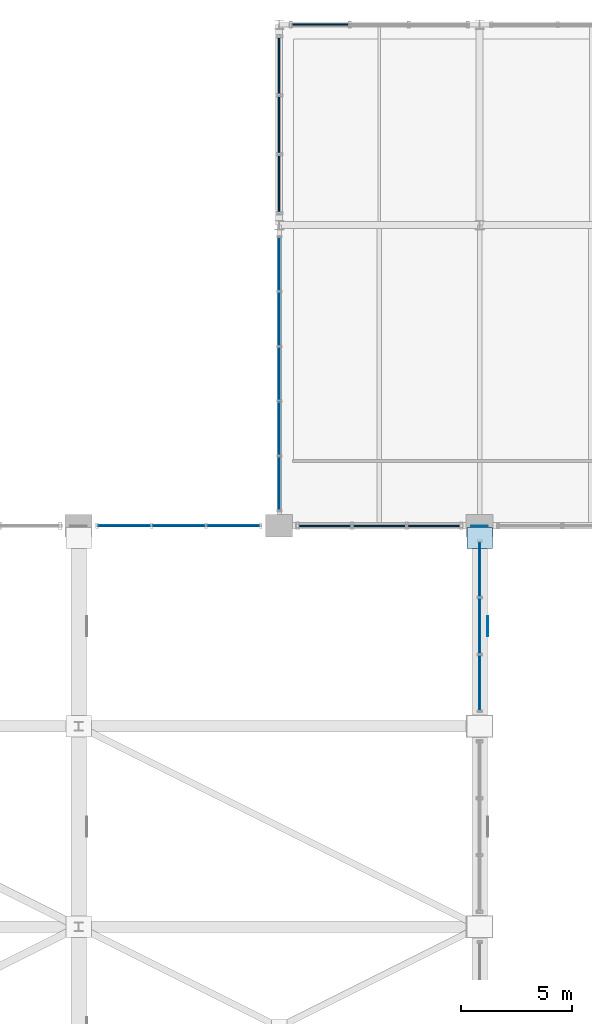
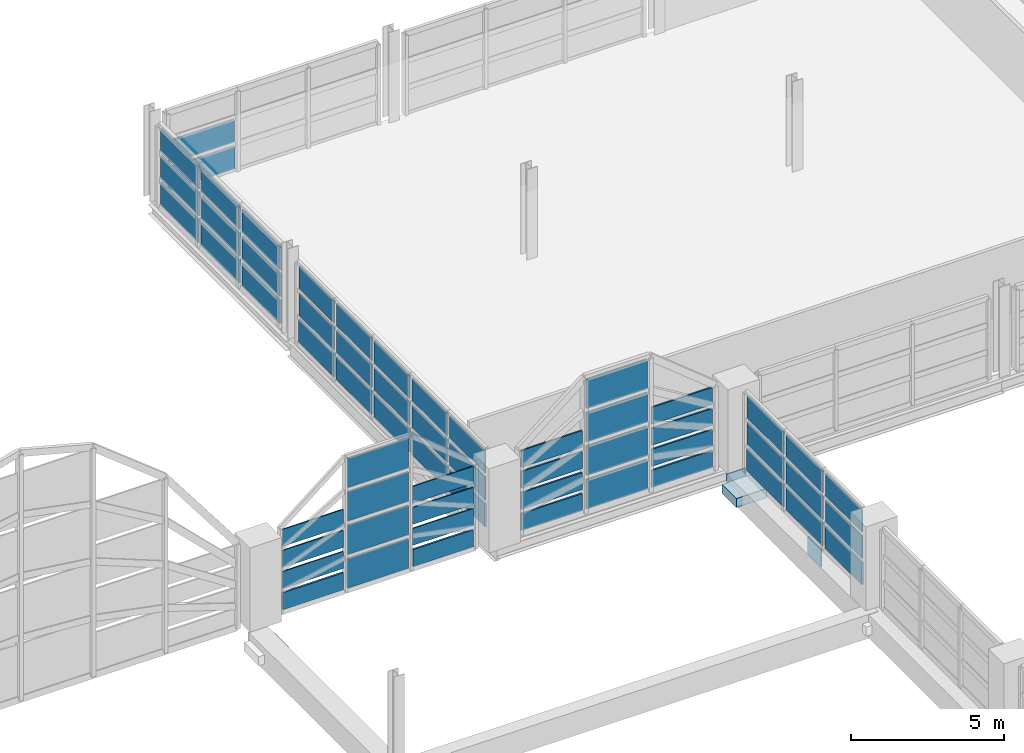
# One storey, part 92 of 116: 62 plates, 6 elements without a shape of their own.
"""IFC4 building model written with IfcOpenShell, lengths in metres."""

from ifc_helpers import new_model, si_unit, direction, frame, origin, origin_2d, place, context, subcontext, project, spatial, rectangle, extrude, material, layer, layer_set, type_object, element, aggregate, save


model = new_model("IFC4")

# Units and contexts
model_context = context("Model", 3, precision=1e-05, world=origin(), true_north=direction((0.0, 1.0)))
body_context = subcontext(model_context, "Body", "Model", "MODEL_VIEW")
ifc_project = project(units=[si_unit("LENGTHUNIT", "METRE"), si_unit("AREAUNIT", "SQUARE_METRE"), si_unit("VOLUMEUNIT", "CUBIC_METRE"), si_unit("PLANEANGLEUNIT", "RADIAN"), si_unit("MASSUNIT", "GRAM", prefix="KILO")], contexts=[model_context])

# Site, building, storey
site_placement = place(None, origin())
site = spatial("IfcSite", under=ifc_project, at=site_placement, CompositionType="ELEMENT")
building_placement = place(site_placement, origin())
building = spatial("IfcBuilding", under=site, at=building_placement, Name="Chuanluo Vaults Station", CompositionType="ELEMENT")
storey_placement = place(building_placement, frame((0.0, 0.0, 10.800048828125)))
storey = spatial("IfcBuildingStorey", under=building, at=storey_placement, Name="L02", CompositionType="ELEMENT", Elevation=10.800048828125)

# Curtain wall, plates
ifc_material_1 = material(Name="Anodised aluminium 6063-T6", Category="aluminium")
curtain_wall_type_1 = type_object("IfcCurtainWallType", Name="CW-SYS-25", PredefinedType="NOTDEFINED", material=ifc_material_1)
curtain_wall_1_placement = place(storey_placement, origin())
curtain_wall_1 = element("IfcCurtainWall", 1, at=curtain_wall_1_placement, inside=storey, type_object=curtain_wall_type_1, Name="Vault V7 north arched curtain wall part 2", PredefinedType="NOTDEFINED")
ifc_material_2 = material(Name="Ceramic-fritted spandrel glass", Category="glass")
ifc_layer_1 = layer(ifc_material_2, 0.06396484375)
ifc_layer_set_1 = layer_set([ifc_layer_1], Name="Ceramic-fritted spandrel glass")
plate_type_1 = type_object("IfcPlateType", Name="CWP-SPN-42", PredefinedType="SHEET", material=ifc_layer_set_1)
plate_1_placement = place(storey_placement, frame((119.050048828125, 103.5, 0.080078125), z_axis=(0.0, 0.0, 1.0), x_axis=(1.0, 0.0, 0.0)))
plate_1 = element("IfcPlate", 2, at=plate_1_placement, type_object=plate_type_1, Name="Vault V7 north arched curtain wall part 2 glazed panel 1.1", PredefinedType="SHEET", context=body_context, shape_type="SweptSolid", body=[
    extrude(rectangle(XDim=2.2900390625, YDim=0.06396484375, at=origin_2d()), origin(), (0.0, 0.0, 1.0), 0.677490234375),
])
plate_2_placement = place(storey_placement, frame((121.5, 103.5, 0.079833984375), z_axis=(0.0, 0.0, 1.0), x_axis=(1.0, 0.0, 0.0)))
plate_2 = element("IfcPlate", 3, at=plate_2_placement, type_object=plate_type_1, Name="Vault V7 north arched curtain wall part 2 glazed panel 2.1", PredefinedType="SHEET", context=body_context, shape_type="SweptSolid", body=[
    extrude(rectangle(XDim=2.2900390625, YDim=0.06396484375, at=origin_2d()), origin(), (0.0, 0.0, 1.0), 1.171875),
])
plate_3_placement = place(storey_placement, frame((123.949951171875, 103.5, 0.080078125), z_axis=(0.0, 0.0, 1.0), x_axis=(1.0, 0.0, 0.0)))
plate_3 = element("IfcPlate", 4, at=plate_3_placement, type_object=plate_type_1, Name="Vault V7 north arched curtain wall part 2 glazed panel 3.1", PredefinedType="SHEET", context=body_context, shape_type="SweptSolid", body=[
    extrude(rectangle(XDim=2.2900390625, YDim=0.06396484375, at=origin_2d()), origin(), (0.0, 0.0, 1.0), 0.677490234375),
])

ifc_material_3 = material(Name="Anodised aluminium 6063-T6", Category="aluminium")
curtain_wall_type_2 = type_object("IfcCurtainWallType", Name="CW-SYS-09", PredefinedType="NOTDEFINED", material=ifc_material_3)
curtain_wall_2_placement = place(storey_placement, origin())
curtain_wall_2 = element("IfcCurtainWall", 5, at=curtain_wall_2_placement, inside=storey, type_object=curtain_wall_type_2, Name="Operations L02 facade CW", PredefinedType="NOTDEFINED")
plate_4_placement = place(storey_placement, frame((117.0, 118.85009765625, 0.079833984375), z_axis=(0.0, 0.0, 1.0), x_axis=(0.0, 1.0, 0.0)))
plate_4 = element("IfcPlate", 6, at=plate_4_placement, type_object=plate_type_1, Name="Operations L02 facade CW glazed panel 1.1", PredefinedType="SHEET", context=body_context, shape_type="SweptSolid", body=[
    extrude(rectangle(XDim=2.489990234375, YDim=0.06396484375, at=origin_2d()), origin(), (0.0, 0.0, 1.0), 0.90673828125),
])
plate_5_placement = place(storey_placement, frame((117.0, 121.5, 0.079833984375), z_axis=(0.0, 0.0, 1.0), x_axis=(0.0, 1.0, 0.0)))
plate_5 = element("IfcPlate", 7, at=plate_5_placement, type_object=plate_type_1, Name="Operations L02 facade CW glazed panel 2.1", PredefinedType="SHEET", context=body_context, shape_type="SweptSolid", body=[
    extrude(rectangle(XDim=2.489990234375, YDim=0.06396484375, at=origin_2d()), origin(), (0.0, 0.0, 1.0), 0.90673828125),
])
plate_6_placement = place(storey_placement, frame((117.0, 124.14990234375, 0.079833984375), z_axis=(0.0, 0.0, 1.0), x_axis=(0.0, 1.0, 0.0)))
plate_6 = element("IfcPlate", 8, at=plate_6_placement, type_object=plate_type_1, Name="Operations L02 facade CW glazed panel 3.1", PredefinedType="SHEET", context=body_context, shape_type="SweptSolid", body=[
    extrude(rectangle(XDim=2.489990234375, YDim=0.06396484375, at=origin_2d()), origin(), (0.0, 0.0, 1.0), 0.90673828125),
])

ifc_material_4 = material(Name="Anodised aluminium 6063-T6", Category="aluminium")
curtain_wall_type_3 = type_object("IfcCurtainWallType", Name="CW-SYS-24", PredefinedType="NOTDEFINED", material=ifc_material_4)
curtain_wall_3_placement = place(storey_placement, origin())
curtain_wall_3 = element("IfcCurtainWall", 9, at=curtain_wall_3_placement, inside=storey, type_object=curtain_wall_type_3, Name="Vault V7 north arched curtain wall part 1", PredefinedType="NOTDEFINED")
ifc_material_5 = material(Name="Ceramic-fritted spandrel glass", Category="glass")
ifc_layer_2 = layer(ifc_material_5, 0.070068359375)
ifc_layer_set_2 = layer_set([ifc_layer_2], Name="Ceramic-fritted spandrel glass")
plate_type_2 = type_object("IfcPlateType", Name="CWP-SPN-50", PredefinedType="SHEET", material=ifc_layer_set_2)
plate_7_placement = place(storey_placement, frame((110.050048828125, 103.5, 0.080078125), z_axis=(0.0, 0.0, 1.0), x_axis=(1.0, 0.0, 0.0)))
plate_7 = element("IfcPlate", 10, at=plate_7_placement, type_object=plate_type_2, Name="Vault V7 north arched curtain wall part 1 glazed panel 1.1", PredefinedType="SHEET", context=body_context, shape_type="SweptSolid", body=[
    extrude(rectangle(XDim=2.2900390625, YDim=0.070068359375, at=origin_2d()), origin(), (0.0, 0.0, 1.0), 0.677490234375),
])
plate_8_placement = place(storey_placement, frame((112.5, 103.5, 0.079833984375), z_axis=(0.0, 0.0, 1.0), x_axis=(1.0, 0.0, 0.0)))
plate_8 = element("IfcPlate", 11, at=plate_8_placement, type_object=plate_type_2, Name="Vault V7 north arched curtain wall part 1 glazed panel 2.1", PredefinedType="SHEET", context=body_context, shape_type="SweptSolid", body=[
    extrude(rectangle(XDim=2.2900390625, YDim=0.070068359375, at=origin_2d()), origin(), (0.0, 0.0, 1.0), 1.171875),
])
plate_9_placement = place(storey_placement, frame((114.949951171875, 103.5, 0.080078125), z_axis=(0.0, 0.0, 1.0), x_axis=(1.0, 0.0, 0.0)))
plate_9 = element("IfcPlate", 12, at=plate_9_placement, type_object=plate_type_2, Name="Vault V7 north arched curtain wall part 1 glazed panel 3.1", PredefinedType="SHEET", context=body_context, shape_type="SweptSolid", body=[
    extrude(rectangle(XDim=2.2900390625, YDim=0.070068359375, at=origin_2d()), origin(), (0.0, 0.0, 1.0), 0.677490234375),
])

ifc_material_6 = material(Name="Anodised aluminium 6063-T6", Category="aluminium")
curtain_wall_type_4 = type_object("IfcCurtainWallType", Name="CW-SYS-20", PredefinedType="NOTDEFINED", material=ifc_material_6)
curtain_wall_4_placement = place(storey_placement, origin())
curtain_wall_4 = element("IfcCurtainWall", 13, at=curtain_wall_4_placement, inside=storey, type_object=curtain_wall_type_4, Name="Train shed east clerestory CW 94", PredefinedType="NOTDEFINED")
plate_10_placement = place(storey_placement, frame((126.0, 101.550048828125, 0.080078125), z_axis=(0.0, 0.0, 1.0), x_axis=(0.0, -1.0, 0.0)))
plate_10 = element("IfcPlate", 14, at=plate_10_placement, type_object=plate_type_2, Name="Train shed east clerestory CW 94 glazed panel 1.1", PredefinedType="SHEET", context=body_context, shape_type="SweptSolid", body=[
    extrude(rectangle(XDim=2.389892578125, YDim=0.070068359375, at=origin_2d()), origin(), (0.0, 0.0, 1.0), 0.889892578125),
])
plate_11_placement = place(storey_placement, frame((126.0, 99.0, 0.080078125), z_axis=(0.0, 0.0, 1.0), x_axis=(0.0, -1.0, 0.0)))
plate_11 = element("IfcPlate", 15, at=plate_11_placement, type_object=plate_type_2, Name="Train shed east clerestory CW 94 glazed panel 2.1", PredefinedType="SHEET", context=body_context, shape_type="SweptSolid", body=[
    extrude(rectangle(XDim=2.389892578125, YDim=0.070068359375, at=origin_2d()), origin(), (0.0, 0.0, 1.0), 0.889892578125),
])
plate_12_placement = place(storey_placement, frame((126.0, 96.449951171875, 0.080078125), z_axis=(0.0, 0.0, 1.0), x_axis=(0.0, -1.0, 0.0)))
plate_12 = element("IfcPlate", 16, at=plate_12_placement, type_object=plate_type_2, Name="Train shed east clerestory CW 94 glazed panel 3.1", PredefinedType="SHEET", context=body_context, shape_type="SweptSolid", body=[
    extrude(rectangle(XDim=2.389892578125, YDim=0.070068359375, at=origin_2d()), origin(), (0.0, 0.0, 1.0), 0.889892578125),
])

ifc_material_7 = material(Name="Anodised aluminium 6063-T6", Category="aluminium")
curtain_wall_type_5 = type_object("IfcCurtainWallType", Name="CW-SYS-08", PredefinedType="NOTDEFINED", material=ifc_material_7)
curtain_wall_5_placement = place(storey_placement, origin())
curtain_wall_5 = element("IfcCurtainWall", 17, at=curtain_wall_5_placement, inside=storey, type_object=curtain_wall_type_5, Name="Operations L02 facade CW", PredefinedType="NOTDEFINED")
plate_13_placement = place(storey_placement, frame((117.0, 105.405029296875, 0.079833984375), z_axis=(0.0, 0.0, 1.0), x_axis=(0.0, 1.0, 0.0)))
plate_13 = element("IfcPlate", 18, at=plate_13_placement, type_object=plate_type_2, Name="Operations L02 facade CW glazed panel 1.1", PredefinedType="SHEET", context=body_context, shape_type="SweptSolid", body=[
    extrude(rectangle(XDim=2.300048828125, YDim=0.070068359375, at=origin_2d()), origin(), (0.0, 0.0, 1.0), 0.90673828125),
])
plate_14_placement = place(storey_placement, frame((117.0, 107.864990234375, 0.079833984375), z_axis=(0.0, 0.0, 1.0), x_axis=(0.0, 1.0, 0.0)))
plate_14 = element("IfcPlate", 19, at=plate_14_placement, type_object=plate_type_2, Name="Operations L02 facade CW glazed panel 2.1", PredefinedType="SHEET", context=body_context, shape_type="SweptSolid", body=[
    extrude(rectangle(XDim=2.300048828125, YDim=0.070068359375, at=origin_2d()), origin(), (0.0, 0.0, 1.0), 0.90673828125),
])
plate_15_placement = place(storey_placement, frame((117.0, 110.324951171875, 0.079833984375), z_axis=(0.0, 0.0, 1.0), x_axis=(0.0, 1.0, 0.0)))
plate_15 = element("IfcPlate", 20, at=plate_15_placement, type_object=plate_type_2, Name="Operations L02 facade CW glazed panel 3.1", PredefinedType="SHEET", context=body_context, shape_type="SweptSolid", body=[
    extrude(rectangle(XDim=2.300048828125, YDim=0.070068359375, at=origin_2d()), origin(), (0.0, 0.0, 1.0), 0.90673828125),
])
plate_16_placement = place(storey_placement, frame((117.0, 112.784912109375, 0.079833984375), z_axis=(0.0, 0.0, 1.0), x_axis=(0.0, 1.0, 0.0)))
plate_16 = element("IfcPlate", 21, at=plate_16_placement, type_object=plate_type_2, Name="Operations L02 facade CW glazed panel 4.1", PredefinedType="SHEET", context=body_context, shape_type="SweptSolid", body=[
    extrude(rectangle(XDim=2.300048828125, YDim=0.070068359375, at=origin_2d()), origin(), (0.0, 0.0, 1.0), 0.90673828125),
])
plate_17_placement = place(storey_placement, frame((117.0, 115.2451171875, 0.079833984375), z_axis=(0.0, 0.0, 1.0), x_axis=(0.0, 1.0, 0.0)))
plate_17 = element("IfcPlate", 22, at=plate_17_placement, type_object=plate_type_2, Name="Operations L02 facade CW glazed panel 5.1", PredefinedType="SHEET", context=body_context, shape_type="SweptSolid", body=[
    extrude(rectangle(XDim=2.300048828125, YDim=0.070068359375, at=origin_2d()), origin(), (0.0, 0.0, 1.0), 0.90673828125),
])

# Curtain wall, plate
ifc_material_8 = material(Name="Anodised aluminium 6063-T6", Category="aluminium")
curtain_wall_type_6 = type_object("IfcCurtainWallType", Name="CW-SYS-10", PredefinedType="NOTDEFINED", material=ifc_material_8)
curtain_wall_6_placement = place(storey_placement, origin())
curtain_wall_6 = element("IfcCurtainWall", 23, at=curtain_wall_6_placement, inside=storey, type_object=curtain_wall_type_6, Name="Operations L02 facade CW", PredefinedType="NOTDEFINED")
plate_18_placement = place(storey_placement, frame((118.85009765625, 126.0, 0.079833984375), z_axis=(0.0, 0.0, 1.0), x_axis=(1.0, 0.0, 0.0)))
plate_18 = element("IfcPlate", 24, at=plate_18_placement, type_object=plate_type_2, Name="Operations L02 facade CW glazed panel 1.1", PredefinedType="SHEET", context=body_context, shape_type="SweptSolid", body=[
    extrude(rectangle(XDim=2.489990234375, YDim=0.070068359375, at=origin_2d()), origin(), (0.0, 0.0, 1.0), 0.90673828125),
])

# Plate
ifc_material_9 = material(Name="Double-silver Low-E laminated glass", Category="glass")
ifc_layer_3 = layer(ifc_material_9, 0.0439453125)
ifc_layer_set_3 = layer_set([ifc_layer_3], Name="Double-silver Low-E laminated glass")
plate_type_3 = type_object("IfcPlateType", Name="CWP-VIS-28", PredefinedType="CURTAIN_PANEL", material=ifc_layer_set_3)
plate_19_placement = place(storey_placement, frame((110.050048828125, 103.5, 0.91748046875), z_axis=(0.0, 0.0, 1.0), x_axis=(1.0, 0.0, 0.0)))
plate_19 = element("IfcPlate", 25, at=plate_19_placement, type_object=plate_type_3, Name="Vault V7 north arched curtain wall part 1 glazed panel 1.2", PredefinedType="CURTAIN_PANEL", context=body_context, shape_type="SweptSolid", body=[
    extrude(rectangle(XDim=2.2900390625, YDim=0.0439453125, at=origin_2d()), origin(), (0.0, 0.0, 1.0), 0.677490234375),
])

plate_20_placement = place(storey_placement, frame((110.050048828125, 103.5, 1.7548828125), z_axis=(0.0, 0.0, 1.0), x_axis=(1.0, 0.0, 0.0)))
plate_20 = element("IfcPlate", 26, at=plate_20_placement, type_object=plate_type_3, Name="Vault V7 north arched curtain wall part 1 glazed panel 1.3", PredefinedType="CURTAIN_PANEL", context=body_context, shape_type="SweptSolid", body=[
    extrude(rectangle(XDim=2.2900390625, YDim=0.0439453125, at=origin_2d()), origin(), (0.0, 0.0, 1.0), 0.677490234375),
])

plate_21_placement = place(storey_placement, frame((110.050048828125, 103.5, 2.59228515625), z_axis=(0.0, 0.0, 1.0), x_axis=(1.0, 0.0, 0.0)))
plate_21 = element("IfcPlate", 27, at=plate_21_placement, type_object=plate_type_3, Name="Vault V7 north arched curtain wall part 1 glazed panel 1.4", PredefinedType="CURTAIN_PANEL", context=body_context, shape_type="SweptSolid", body=[
    extrude(rectangle(XDim=2.2900390625, YDim=0.0439453125, at=origin_2d()), origin(), (0.0, 0.0, 1.0), 0.677490234375),
])

plate_22_placement = place(storey_placement, frame((112.5, 103.5, 1.41162109375), z_axis=(0.0, 0.0, 1.0), x_axis=(1.0, 0.0, 0.0)))
plate_22 = element("IfcPlate", 28, at=plate_22_placement, type_object=plate_type_3, Name="Vault V7 north arched curtain wall part 1 glazed panel 2.2", PredefinedType="CURTAIN_PANEL", context=body_context, shape_type="SweptSolid", body=[
    extrude(rectangle(XDim=2.2900390625, YDim=0.0439453125, at=origin_2d()), origin(), (0.0, 0.0, 1.0), 1.172119140625),
])

plate_23_placement = place(storey_placement, frame((112.5, 103.5, 2.74365234375), z_axis=(0.0, 0.0, 1.0), x_axis=(1.0, 0.0, 0.0)))
plate_23 = element("IfcPlate", 29, at=plate_23_placement, type_object=plate_type_3, Name="Vault V7 north arched curtain wall part 1 glazed panel 2.3", PredefinedType="CURTAIN_PANEL", context=body_context, shape_type="SweptSolid", body=[
    extrude(rectangle(XDim=2.2900390625, YDim=0.0439453125, at=origin_2d()), origin(), (0.0, 0.0, 1.0), 1.172119140625),
])

plate_24_placement = place(storey_placement, frame((112.5, 103.5, 4.075927734375), z_axis=(0.0, 0.0, 1.0), x_axis=(1.0, 0.0, 0.0)))
plate_24 = element("IfcPlate", 30, at=plate_24_placement, type_object=plate_type_3, Name="Vault V7 north arched curtain wall part 1 glazed panel 2.4", PredefinedType="CURTAIN_PANEL", context=body_context, shape_type="SweptSolid", body=[
    extrude(rectangle(XDim=2.2900390625, YDim=0.0439453125, at=origin_2d()), origin(), (0.0, 0.0, 1.0), 1.171875),
])

plate_25_placement = place(storey_placement, frame((114.949951171875, 103.5, 0.91748046875), z_axis=(0.0, 0.0, 1.0), x_axis=(1.0, 0.0, 0.0)))
plate_25 = element("IfcPlate", 31, at=plate_25_placement, type_object=plate_type_3, Name="Vault V7 north arched curtain wall part 1 glazed panel 3.2", PredefinedType="CURTAIN_PANEL", context=body_context, shape_type="SweptSolid", body=[
    extrude(rectangle(XDim=2.2900390625, YDim=0.0439453125, at=origin_2d()), origin(), (0.0, 0.0, 1.0), 0.677490234375),
])

plate_26_placement = place(storey_placement, frame((114.949951171875, 103.5, 1.7548828125), z_axis=(0.0, 0.0, 1.0), x_axis=(1.0, 0.0, 0.0)))
plate_26 = element("IfcPlate", 32, at=plate_26_placement, type_object=plate_type_3, Name="Vault V7 north arched curtain wall part 1 glazed panel 3.3", PredefinedType="CURTAIN_PANEL", context=body_context, shape_type="SweptSolid", body=[
    extrude(rectangle(XDim=2.2900390625, YDim=0.0439453125, at=origin_2d()), origin(), (0.0, 0.0, 1.0), 0.677490234375),
])

plate_27_placement = place(storey_placement, frame((114.949951171875, 103.5, 2.59228515625), z_axis=(0.0, 0.0, 1.0), x_axis=(1.0, 0.0, 0.0)))
plate_27 = element("IfcPlate", 33, at=plate_27_placement, type_object=plate_type_3, Name="Vault V7 north arched curtain wall part 1 glazed panel 3.4", PredefinedType="CURTAIN_PANEL", context=body_context, shape_type="SweptSolid", body=[
    extrude(rectangle(XDim=2.2900390625, YDim=0.0439453125, at=origin_2d()), origin(), (0.0, 0.0, 1.0), 0.677490234375),
])

aggregate(curtain_wall_3, [plate_7, plate_19, plate_20, plate_21, plate_8, plate_22, plate_23, plate_24, plate_9, plate_25, plate_26, plate_27])

plate_28_placement = place(storey_placement, frame((126.0, 101.550048828125, 1.1298828125), z_axis=(0.0, 0.0, 1.0), x_axis=(0.0, -1.0, 0.0)))
plate_28 = element("IfcPlate", 34, at=plate_28_placement, type_object=plate_type_3, Name="Train shed east clerestory CW 94 glazed panel 1.2", PredefinedType="CURTAIN_PANEL", context=body_context, shape_type="SweptSolid", body=[
    extrude(rectangle(XDim=2.389892578125, YDim=0.0439453125, at=origin_2d()), origin(), (0.0, 0.0, 1.0), 0.889892578125),
])

plate_29_placement = place(storey_placement, frame((126.0, 101.550048828125, 2.18017578125), z_axis=(0.0, 0.0, 1.0), x_axis=(0.0, -1.0, 0.0)))
plate_29 = element("IfcPlate", 35, at=plate_29_placement, type_object=plate_type_3, Name="Train shed east clerestory CW 94 glazed panel 1.3", PredefinedType="CURTAIN_PANEL", context=body_context, shape_type="SweptSolid", body=[
    extrude(rectangle(XDim=2.389892578125, YDim=0.0439453125, at=origin_2d()), origin(), (0.0, 0.0, 1.0), 0.889892578125),
])

plate_30_placement = place(storey_placement, frame((126.0, 99.0, 1.1298828125), z_axis=(0.0, 0.0, 1.0), x_axis=(0.0, -1.0, 0.0)))
plate_30 = element("IfcPlate", 36, at=plate_30_placement, type_object=plate_type_3, Name="Train shed east clerestory CW 94 glazed panel 2.2", PredefinedType="CURTAIN_PANEL", context=body_context, shape_type="SweptSolid", body=[
    extrude(rectangle(XDim=2.389892578125, YDim=0.0439453125, at=origin_2d()), origin(), (0.0, 0.0, 1.0), 0.889892578125),
])

plate_31_placement = place(storey_placement, frame((126.0, 99.0, 2.18017578125), z_axis=(0.0, 0.0, 1.0), x_axis=(0.0, -1.0, 0.0)))
plate_31 = element("IfcPlate", 37, at=plate_31_placement, type_object=plate_type_3, Name="Train shed east clerestory CW 94 glazed panel 2.3", PredefinedType="CURTAIN_PANEL", context=body_context, shape_type="SweptSolid", body=[
    extrude(rectangle(XDim=2.389892578125, YDim=0.0439453125, at=origin_2d()), origin(), (0.0, 0.0, 1.0), 0.889892578125),
])

plate_32_placement = place(storey_placement, frame((126.0, 96.449951171875, 1.1298828125), z_axis=(0.0, 0.0, 1.0), x_axis=(0.0, -1.0, 0.0)))
plate_32 = element("IfcPlate", 38, at=plate_32_placement, type_object=plate_type_3, Name="Train shed east clerestory CW 94 glazed panel 3.2", PredefinedType="CURTAIN_PANEL", context=body_context, shape_type="SweptSolid", body=[
    extrude(rectangle(XDim=2.389892578125, YDim=0.0439453125, at=origin_2d()), origin(), (0.0, 0.0, 1.0), 0.889892578125),
])

plate_33_placement = place(storey_placement, frame((126.0, 96.449951171875, 2.18017578125), z_axis=(0.0, 0.0, 1.0), x_axis=(0.0, -1.0, 0.0)))
plate_33 = element("IfcPlate", 39, at=plate_33_placement, type_object=plate_type_3, Name="Train shed east clerestory CW 94 glazed panel 3.3", PredefinedType="CURTAIN_PANEL", context=body_context, shape_type="SweptSolid", body=[
    extrude(rectangle(XDim=2.389892578125, YDim=0.0439453125, at=origin_2d()), origin(), (0.0, 0.0, 1.0), 0.889892578125),
])

aggregate(curtain_wall_4, [plate_10, plate_28, plate_29, plate_11, plate_30, plate_31, plate_12, plate_32, plate_33])

plate_34_placement = place(storey_placement, frame((117.0, 105.405029296875, 1.146484375), z_axis=(0.0, 0.0, 1.0), x_axis=(0.0, 1.0, 0.0)))
plate_34 = element("IfcPlate", 40, at=plate_34_placement, type_object=plate_type_3, Name="Operations L02 facade CW glazed panel 1.2", PredefinedType="CURTAIN_PANEL", context=body_context, shape_type="SweptSolid", body=[
    extrude(rectangle(XDim=2.300048828125, YDim=0.0439453125, at=origin_2d()), origin(), (0.0, 0.0, 1.0), 0.906494140625),
])

plate_35_placement = place(storey_placement, frame((117.0, 105.405029296875, 2.213134765625), z_axis=(0.0, 0.0, 1.0), x_axis=(0.0, 1.0, 0.0)))
plate_35 = element("IfcPlate", 41, at=plate_35_placement, type_object=plate_type_3, Name="Operations L02 facade CW glazed panel 1.3", PredefinedType="CURTAIN_PANEL", context=body_context, shape_type="SweptSolid", body=[
    extrude(rectangle(XDim=2.300048828125, YDim=0.0439453125, at=origin_2d()), origin(), (0.0, 0.0, 1.0), 0.90673828125),
])

plate_36_placement = place(storey_placement, frame((117.0, 107.864990234375, 1.146484375), z_axis=(0.0, 0.0, 1.0), x_axis=(0.0, 1.0, 0.0)))
plate_36 = element("IfcPlate", 42, at=plate_36_placement, type_object=plate_type_3, Name="Operations L02 facade CW glazed panel 2.2", PredefinedType="CURTAIN_PANEL", context=body_context, shape_type="SweptSolid", body=[
    extrude(rectangle(XDim=2.300048828125, YDim=0.0439453125, at=origin_2d()), origin(), (0.0, 0.0, 1.0), 0.906494140625),
])

plate_37_placement = place(storey_placement, frame((117.0, 107.864990234375, 2.213134765625), z_axis=(0.0, 0.0, 1.0), x_axis=(0.0, 1.0, 0.0)))
plate_37 = element("IfcPlate", 43, at=plate_37_placement, type_object=plate_type_3, Name="Operations L02 facade CW glazed panel 2.3", PredefinedType="CURTAIN_PANEL", context=body_context, shape_type="SweptSolid", body=[
    extrude(rectangle(XDim=2.300048828125, YDim=0.0439453125, at=origin_2d()), origin(), (0.0, 0.0, 1.0), 0.90673828125),
])

plate_38_placement = place(storey_placement, frame((117.0, 110.324951171875, 1.146484375), z_axis=(0.0, 0.0, 1.0), x_axis=(0.0, 1.0, 0.0)))
plate_38 = element("IfcPlate", 44, at=plate_38_placement, type_object=plate_type_3, Name="Operations L02 facade CW glazed panel 3.2", PredefinedType="CURTAIN_PANEL", context=body_context, shape_type="SweptSolid", body=[
    extrude(rectangle(XDim=2.300048828125, YDim=0.0439453125, at=origin_2d()), origin(), (0.0, 0.0, 1.0), 0.906494140625),
])

plate_39_placement = place(storey_placement, frame((117.0, 110.324951171875, 2.213134765625), z_axis=(0.0, 0.0, 1.0), x_axis=(0.0, 1.0, 0.0)))
plate_39 = element("IfcPlate", 45, at=plate_39_placement, type_object=plate_type_3, Name="Operations L02 facade CW glazed panel 3.3", PredefinedType="CURTAIN_PANEL", context=body_context, shape_type="SweptSolid", body=[
    extrude(rectangle(XDim=2.300048828125, YDim=0.0439453125, at=origin_2d()), origin(), (0.0, 0.0, 1.0), 0.90673828125),
])

plate_40_placement = place(storey_placement, frame((117.0, 112.784912109375, 1.146484375), z_axis=(0.0, 0.0, 1.0), x_axis=(0.0, 1.0, 0.0)))
plate_40 = element("IfcPlate", 46, at=plate_40_placement, type_object=plate_type_3, Name="Operations L02 facade CW glazed panel 4.2", PredefinedType="CURTAIN_PANEL", context=body_context, shape_type="SweptSolid", body=[
    extrude(rectangle(XDim=2.300048828125, YDim=0.0439453125, at=origin_2d()), origin(), (0.0, 0.0, 1.0), 0.906494140625),
])

plate_41_placement = place(storey_placement, frame((117.0, 112.784912109375, 2.213134765625), z_axis=(0.0, 0.0, 1.0), x_axis=(0.0, 1.0, 0.0)))
plate_41 = element("IfcPlate", 47, at=plate_41_placement, type_object=plate_type_3, Name="Operations L02 facade CW glazed panel 4.3", PredefinedType="CURTAIN_PANEL", context=body_context, shape_type="SweptSolid", body=[
    extrude(rectangle(XDim=2.300048828125, YDim=0.0439453125, at=origin_2d()), origin(), (0.0, 0.0, 1.0), 0.90673828125),
])

plate_42_placement = place(storey_placement, frame((117.0, 115.2451171875, 1.146484375), z_axis=(0.0, 0.0, 1.0), x_axis=(0.0, 1.0, 0.0)))
plate_42 = element("IfcPlate", 48, at=plate_42_placement, type_object=plate_type_3, Name="Operations L02 facade CW glazed panel 5.2", PredefinedType="CURTAIN_PANEL", context=body_context, shape_type="SweptSolid", body=[
    extrude(rectangle(XDim=2.300048828125, YDim=0.0439453125, at=origin_2d()), origin(), (0.0, 0.0, 1.0), 0.906494140625),
])

plate_43_placement = place(storey_placement, frame((117.0, 115.2451171875, 2.213134765625), z_axis=(0.0, 0.0, 1.0), x_axis=(0.0, 1.0, 0.0)))
plate_43 = element("IfcPlate", 49, at=plate_43_placement, type_object=plate_type_3, Name="Operations L02 facade CW glazed panel 5.3", PredefinedType="CURTAIN_PANEL", context=body_context, shape_type="SweptSolid", body=[
    extrude(rectangle(XDim=2.300048828125, YDim=0.0439453125, at=origin_2d()), origin(), (0.0, 0.0, 1.0), 0.90673828125),
])

aggregate(curtain_wall_5, [plate_13, plate_34, plate_35, plate_14, plate_36, plate_37, plate_15, plate_38, plate_39, plate_16, plate_40, plate_41, plate_17, plate_42, plate_43])

ifc_material_10 = material(Name="Double-silver Low-E laminated glass", Category="glass")
ifc_layer_4 = layer(ifc_material_10, 0.053955078125)
ifc_layer_set_4 = layer_set([ifc_layer_4], Name="Double-silver Low-E laminated glass")
plate_type_4 = type_object("IfcPlateType", Name="CWP-VIS-36", PredefinedType="CURTAIN_PANEL", material=ifc_layer_set_4)
plate_44_placement = place(storey_placement, frame((118.85009765625, 126.0, 1.146484375), z_axis=(0.0, 0.0, 1.0), x_axis=(1.0, 0.0, 0.0)))
plate_44 = element("IfcPlate", 50, at=plate_44_placement, type_object=plate_type_4, Name="Operations L02 facade CW glazed panel 1.2", PredefinedType="CURTAIN_PANEL", context=body_context, shape_type="SweptSolid", body=[
    extrude(rectangle(XDim=2.489990234375, YDim=0.053955078125, at=origin_2d()), origin(), (0.0, 0.0, 1.0), 0.906494140625),
])

aggregate(curtain_wall_6, [plate_18, plate_44])

ifc_material_11 = material(Name="Double-silver Low-E laminated glass", Category="glass")
ifc_layer_5 = layer(ifc_material_11, 0.05810546875)
ifc_layer_set_5 = layer_set([ifc_layer_5], Name="Double-silver Low-E laminated glass")
plate_type_5 = type_object("IfcPlateType", Name="CWP-VIS-38", PredefinedType="CURTAIN_PANEL", material=ifc_layer_set_5)
plate_45_placement = place(storey_placement, frame((119.050048828125, 103.5, 0.91748046875), z_axis=(0.0, 0.0, 1.0), x_axis=(1.0, 0.0, 0.0)))
plate_45 = element("IfcPlate", 51, at=plate_45_placement, type_object=plate_type_5, Name="Vault V7 north arched curtain wall part 2 glazed panel 1.2", PredefinedType="CURTAIN_PANEL", context=body_context, shape_type="SweptSolid", body=[
    extrude(rectangle(XDim=2.2900390625, YDim=0.05810546875, at=origin_2d()), origin(), (0.0, 0.0, 1.0), 0.677490234375),
])

plate_46_placement = place(storey_placement, frame((119.050048828125, 103.5, 1.7548828125), z_axis=(0.0, 0.0, 1.0), x_axis=(1.0, 0.0, 0.0)))
plate_46 = element("IfcPlate", 52, at=plate_46_placement, type_object=plate_type_5, Name="Vault V7 north arched curtain wall part 2 glazed panel 1.3", PredefinedType="CURTAIN_PANEL", context=body_context, shape_type="SweptSolid", body=[
    extrude(rectangle(XDim=2.2900390625, YDim=0.05810546875, at=origin_2d()), origin(), (0.0, 0.0, 1.0), 0.677490234375),
])

plate_47_placement = place(storey_placement, frame((119.050048828125, 103.5, 2.59228515625), z_axis=(0.0, 0.0, 1.0), x_axis=(1.0, 0.0, 0.0)))
plate_47 = element("IfcPlate", 53, at=plate_47_placement, type_object=plate_type_5, Name="Vault V7 north arched curtain wall part 2 glazed panel 1.4", PredefinedType="CURTAIN_PANEL", context=body_context, shape_type="SweptSolid", body=[
    extrude(rectangle(XDim=2.2900390625, YDim=0.05810546875, at=origin_2d()), origin(), (0.0, 0.0, 1.0), 0.677490234375),
])

plate_48_placement = place(storey_placement, frame((121.5, 103.5, 1.41162109375), z_axis=(0.0, 0.0, 1.0), x_axis=(1.0, 0.0, 0.0)))
plate_48 = element("IfcPlate", 54, at=plate_48_placement, type_object=plate_type_5, Name="Vault V7 north arched curtain wall part 2 glazed panel 2.2", PredefinedType="CURTAIN_PANEL", context=body_context, shape_type="SweptSolid", body=[
    extrude(rectangle(XDim=2.2900390625, YDim=0.05810546875, at=origin_2d()), origin(), (0.0, 0.0, 1.0), 1.172119140625),
])

plate_49_placement = place(storey_placement, frame((121.5, 103.5, 2.74365234375), z_axis=(0.0, 0.0, 1.0), x_axis=(1.0, 0.0, 0.0)))
plate_49 = element("IfcPlate", 55, at=plate_49_placement, type_object=plate_type_5, Name="Vault V7 north arched curtain wall part 2 glazed panel 2.3", PredefinedType="CURTAIN_PANEL", context=body_context, shape_type="SweptSolid", body=[
    extrude(rectangle(XDim=2.2900390625, YDim=0.05810546875, at=origin_2d()), origin(), (0.0, 0.0, 1.0), 1.172119140625),
])

plate_50_placement = place(storey_placement, frame((121.5, 103.5, 4.075927734375), z_axis=(0.0, 0.0, 1.0), x_axis=(1.0, 0.0, 0.0)))
plate_50 = element("IfcPlate", 56, at=plate_50_placement, type_object=plate_type_5, Name="Vault V7 north arched curtain wall part 2 glazed panel 2.4", PredefinedType="CURTAIN_PANEL", context=body_context, shape_type="SweptSolid", body=[
    extrude(rectangle(XDim=2.2900390625, YDim=0.05810546875, at=origin_2d()), origin(), (0.0, 0.0, 1.0), 1.171875),
])

plate_51_placement = place(storey_placement, frame((123.949951171875, 103.5, 0.91748046875), z_axis=(0.0, 0.0, 1.0), x_axis=(1.0, 0.0, 0.0)))
plate_51 = element("IfcPlate", 57, at=plate_51_placement, type_object=plate_type_5, Name="Vault V7 north arched curtain wall part 2 glazed panel 3.2", PredefinedType="CURTAIN_PANEL", context=body_context, shape_type="SweptSolid", body=[
    extrude(rectangle(XDim=2.2900390625, YDim=0.05810546875, at=origin_2d()), origin(), (0.0, 0.0, 1.0), 0.677490234375),
])

plate_52_placement = place(storey_placement, frame((123.949951171875, 103.5, 1.7548828125), z_axis=(0.0, 0.0, 1.0), x_axis=(1.0, 0.0, 0.0)))
plate_52 = element("IfcPlate", 58, at=plate_52_placement, type_object=plate_type_5, Name="Vault V7 north arched curtain wall part 2 glazed panel 3.3", PredefinedType="CURTAIN_PANEL", context=body_context, shape_type="SweptSolid", body=[
    extrude(rectangle(XDim=2.2900390625, YDim=0.05810546875, at=origin_2d()), origin(), (0.0, 0.0, 1.0), 0.677490234375),
])

plate_53_placement = place(storey_placement, frame((123.949951171875, 103.5, 2.59228515625), z_axis=(0.0, 0.0, 1.0), x_axis=(1.0, 0.0, 0.0)))
plate_53 = element("IfcPlate", 59, at=plate_53_placement, type_object=plate_type_5, Name="Vault V7 north arched curtain wall part 2 glazed panel 3.4", PredefinedType="CURTAIN_PANEL", context=body_context, shape_type="SweptSolid", body=[
    extrude(rectangle(XDim=2.2900390625, YDim=0.05810546875, at=origin_2d()), origin(), (0.0, 0.0, 1.0), 0.677490234375),
])

aggregate(curtain_wall_1, [plate_1, plate_45, plate_46, plate_47, plate_2, plate_48, plate_49, plate_50, plate_3, plate_51, plate_52, plate_53])

plate_54_placement = place(storey_placement, frame((117.0, 118.85009765625, 1.146484375), z_axis=(0.0, 0.0, 1.0), x_axis=(0.0, 1.0, 0.0)))
plate_54 = element("IfcPlate", 60, at=plate_54_placement, type_object=plate_type_5, Name="Operations L02 facade CW glazed panel 1.2", PredefinedType="CURTAIN_PANEL", context=body_context, shape_type="SweptSolid", body=[
    extrude(rectangle(XDim=2.489990234375, YDim=0.05810546875, at=origin_2d()), origin(), (0.0, 0.0, 1.0), 0.906494140625),
])

plate_55_placement = place(storey_placement, frame((117.0, 118.85009765625, 2.213134765625), z_axis=(0.0, 0.0, 1.0), x_axis=(0.0, 1.0, 0.0)))
plate_55 = element("IfcPlate", 61, at=plate_55_placement, type_object=plate_type_5, Name="Operations L02 facade CW glazed panel 1.3", PredefinedType="CURTAIN_PANEL", context=body_context, shape_type="SweptSolid", body=[
    extrude(rectangle(XDim=2.489990234375, YDim=0.05810546875, at=origin_2d()), origin(), (0.0, 0.0, 1.0), 0.90673828125),
])

plate_56_placement = place(storey_placement, frame((117.0, 121.5, 1.146484375), z_axis=(0.0, 0.0, 1.0), x_axis=(0.0, 1.0, 0.0)))
plate_56 = element("IfcPlate", 62, at=plate_56_placement, type_object=plate_type_5, Name="Operations L02 facade CW glazed panel 2.2", PredefinedType="CURTAIN_PANEL", context=body_context, shape_type="SweptSolid", body=[
    extrude(rectangle(XDim=2.489990234375, YDim=0.05810546875, at=origin_2d()), origin(), (0.0, 0.0, 1.0), 0.906494140625),
])

plate_57_placement = place(storey_placement, frame((117.0, 121.5, 2.213134765625), z_axis=(0.0, 0.0, 1.0), x_axis=(0.0, 1.0, 0.0)))
plate_57 = element("IfcPlate", 63, at=plate_57_placement, type_object=plate_type_5, Name="Operations L02 facade CW glazed panel 2.3", PredefinedType="CURTAIN_PANEL", context=body_context, shape_type="SweptSolid", body=[
    extrude(rectangle(XDim=2.489990234375, YDim=0.05810546875, at=origin_2d()), origin(), (0.0, 0.0, 1.0), 0.90673828125),
])

plate_58_placement = place(storey_placement, frame((117.0, 124.14990234375, 1.146484375), z_axis=(0.0, 0.0, 1.0), x_axis=(0.0, 1.0, 0.0)))
plate_58 = element("IfcPlate", 64, at=plate_58_placement, type_object=plate_type_5, Name="Operations L02 facade CW glazed panel 3.2", PredefinedType="CURTAIN_PANEL", context=body_context, shape_type="SweptSolid", body=[
    extrude(rectangle(XDim=2.489990234375, YDim=0.05810546875, at=origin_2d()), origin(), (0.0, 0.0, 1.0), 0.906494140625),
])

plate_59_placement = place(storey_placement, frame((117.0, 124.14990234375, 2.213134765625), z_axis=(0.0, 0.0, 1.0), x_axis=(0.0, 1.0, 0.0)))
plate_59 = element("IfcPlate", 65, at=plate_59_placement, type_object=plate_type_5, Name="Operations L02 facade CW glazed panel 3.3", PredefinedType="CURTAIN_PANEL", context=body_context, shape_type="SweptSolid", body=[
    extrude(rectangle(XDim=2.489990234375, YDim=0.05810546875, at=origin_2d()), origin(), (0.0, 0.0, 1.0), 0.90673828125),
])

aggregate(curtain_wall_2, [plate_4, plate_54, plate_55, plate_5, plate_56, plate_57, plate_6, plate_58, plate_59])

# Plates
ifc_material_12 = material(Name="Steel Q390C", Category="steel")
ifc_layer_6 = layer(ifc_material_12, 0.02587890625)
ifc_layer_set_6 = layer_set([ifc_layer_6], Name="Steel Q390C")
plate_type_6 = type_object("IfcPlateType", Name="PLT-CAP-26", PredefinedType="USERDEFINED", material=ifc_layer_set_6)
plate_60_placement = place(storey_placement, frame((126.0, 103.5, -1.320068359375), z_axis=(0.0, 0.0, 1.0), x_axis=(1.0, 0.0, 0.0)))
element("IfcPlate", 66, at=plate_60_placement, inside=storey, type_object=plate_type_6, Name="Truss TT-8 top chord end cap N", ObjectType="COVER_PLATE", PredefinedType="USERDEFINED", context=body_context, shape_type="SweptSolid", body=[
    extrude(rectangle(XDim=0.739990234375, YDim=0.02587890625, at=origin_2d()), origin(), (0.0, 0.0, 1.0), 0.93994140625),
])
ifc_material_13 = material(Name="Steel Q390C", Category="steel")
ifc_layer_7 = layer(ifc_material_13, 0.031982421875)
ifc_layer_set_7 = layer_set([ifc_layer_7], Name="Steel Q390C")
plate_type_7 = type_object("IfcPlateType", Name="PLT-GUS-32", PredefinedType="USERDEFINED", material=ifc_layer_set_7)
plate_61_placement = place(storey_placement, frame((126.364013671875, 99.0, -1.35009765625), z_axis=(0.0, 0.0, 1.0), x_axis=(1.0, 0.0, 0.0)))
element("IfcPlate", 67, at=plate_61_placement, inside=storey, type_object=plate_type_7, Name="Truss TT-8 top node gusset 4", ObjectType="GUSSET_PLATE", PredefinedType="USERDEFINED", context=body_context, shape_type="SweptSolid", body=[
    extrude(rectangle(XDim=0.031982421875, YDim=0.89990234375, at=origin_2d()), origin(), (0.0, 0.0, 1.0), 0.699951171875),
])
plate_62_placement = place(storey_placement, frame((126.0, 102.949951171875, -1.0302734375), z_axis=(0.0, 0.0, 1.0), x_axis=(1.0, 0.0, 0.0)))
element("IfcPlate", 68, at=plate_62_placement, inside=storey, type_object=plate_type_7, Name="Structural steel node diaphragm 0080", ObjectType="GUSSET_PLATE", PredefinedType="USERDEFINED", context=body_context, shape_type="SweptSolid", body=[
    extrude(rectangle(XDim=1.14990234375, YDim=0.949951171875, at=origin_2d()), origin(), (0.0, 0.0, 1.0), 0.360107421875),
])

save(model, "model.ifc")
